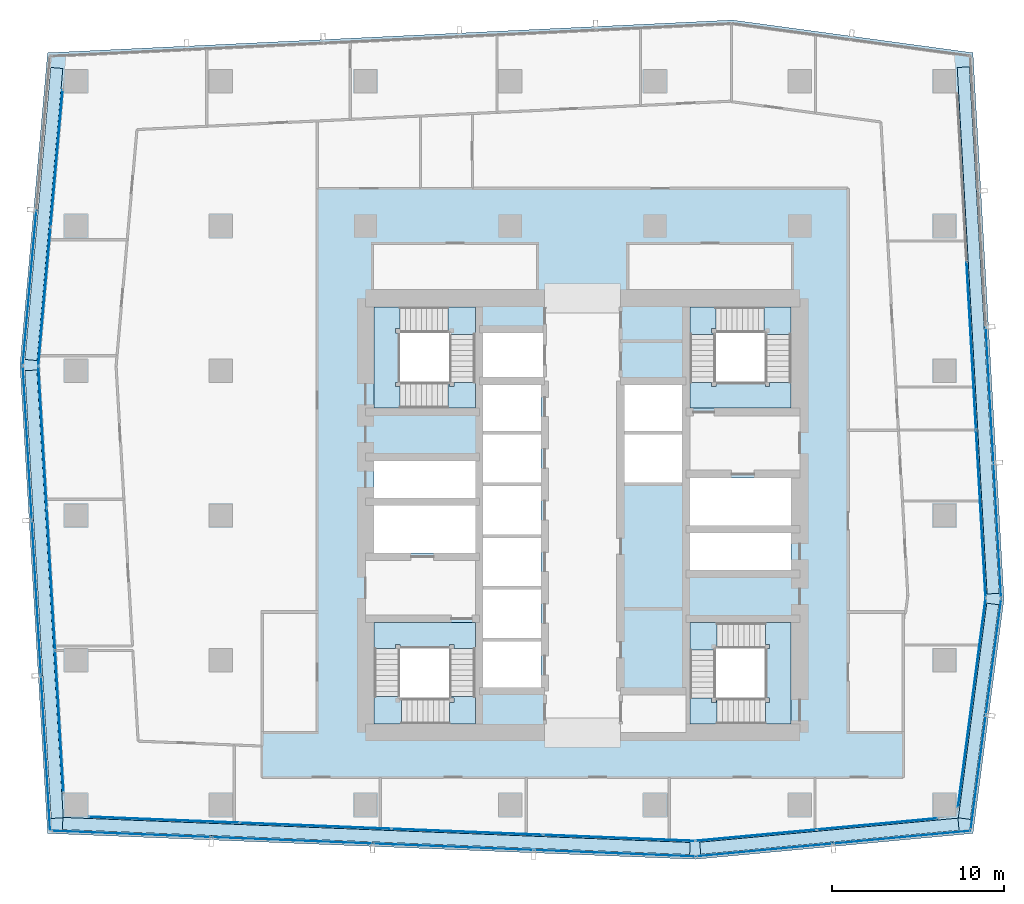
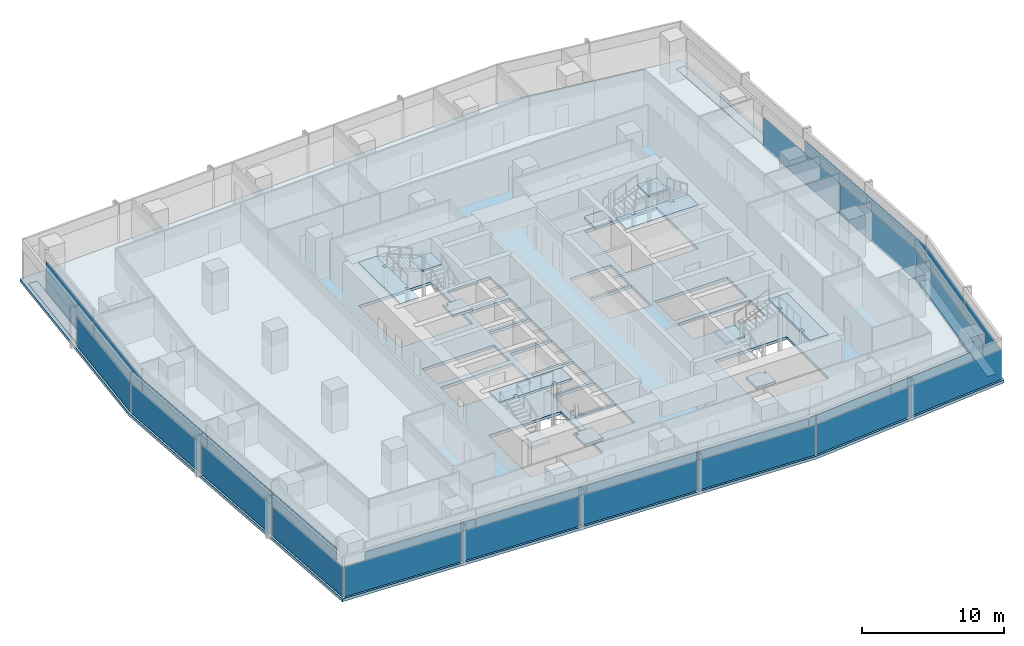
# One storey, part 26 of 39: 34 plates, 13 slabs, 16 elements without a shape of their own.
"""IFC4 building model written with IfcOpenShell, lengths in metres."""

from ifc_helpers import new_model, si_unit, direction, frame, origin, origin_2d, place, context, subcontext, project, spatial, polyline, rectangle, outline, extrude, material, layer, layer_set, type_object, element, aggregate, save


model = new_model("IFC4")

# Units and contexts
model_context = context("Model", 3, precision=1e-05, world=origin(), true_north=direction((0.0, 1.0)))
body_context = subcontext(model_context, "Body", "Model", "MODEL_VIEW")
ifc_project = project(units=[si_unit("LENGTHUNIT", "METRE"), si_unit("AREAUNIT", "SQUARE_METRE"), si_unit("VOLUMEUNIT", "CUBIC_METRE"), si_unit("PLANEANGLEUNIT", "RADIAN"), si_unit("MASSUNIT", "GRAM", prefix="KILO")], contexts=[model_context])

# Site, building, storey
site_placement = place(None, origin())
site = spatial("IfcSite", under=ifc_project, at=site_placement, CompositionType="ELEMENT")
building_placement = place(site_placement, origin())
building = spatial("IfcBuilding", under=site, at=building_placement, Name="Rekha Terrace Tower", CompositionType="ELEMENT")
storey_placement = place(building_placement, frame((0.0, 0.0, 187.699951171875)))
storey = spatial("IfcBuildingStorey", under=building, at=storey_placement, Name="L47", CompositionType="ELEMENT", Elevation=187.699951171875)

# Curtain wall, plates
ifc_material_1 = material(Name="Aluminium framing", Category="aluminium")
curtain_wall_type_1 = type_object("IfcCurtainWallType", Name="CW1 double skin inner glazing", PredefinedType="USERDEFINED", material=ifc_material_1)
curtain_wall_1_placement = place(storey_placement, origin())
curtain_wall_1 = element("IfcCurtainWall", 1, at=curtain_wall_1_placement, inside=storey, type_object=curtain_wall_type_1, Name="CW1 double skin inner glazing", ObjectType="DOUBLE SKIN INNER GLAZING", PredefinedType="USERDEFINED")
ifc_material_2 = material(Name="Double-glazed low-e unit 32", Category="glass")
ifc_layer_1 = layer(ifc_material_2, 0.031982421875)
ifc_layer_set_1 = layer_set([ifc_layer_1], Name="Double-glazed low-e unit 32")
plate_type_1 = type_object("IfcPlateType", Name="CW1 jumbo vision panel, double-glazed low-e unit 32", PredefinedType="CURTAIN_PANEL", material=ifc_layer_set_1)
plate_1_placement = place(storey_placement, frame((13.51318359375, 15.94091796875, 0.0), z_axis=(0.0, 0.0, 1.0), x_axis=(0.999204775798, -0.039872497061, 0.0)))
plate_1 = element("IfcPlate", 2, at=plate_1_placement, type_object=plate_type_1, Name="CW1 panel 1.1", PredefinedType="CURTAIN_PANEL", context=body_context, shape_type="SweptSolid", body=[
    extrude(rectangle(XDim=8.7138671875, YDim=0.031982421875, at=origin_2d()), origin(), (0.0, 0.0, 1.0), 2.60009765625),
])
plate_2_placement = place(storey_placement, frame((22.301025390625, 15.59033203125, 0.0), z_axis=(0.0, 0.0, 1.0), x_axis=(0.999204775798, -0.039872497061, 0.0)))
plate_2 = element("IfcPlate", 3, at=plate_2_placement, type_object=plate_type_1, Name="CW1 panel 2.1", PredefinedType="CURTAIN_PANEL", context=body_context, shape_type="SweptSolid", body=[
    extrude(rectangle(XDim=8.746337890625, YDim=0.031982421875, at=origin_2d()), origin(), (0.0, 0.0, 1.0), 2.60009765625),
])
plate_3_placement = place(storey_placement, frame((31.10546875, 15.239013671875, 0.0), z_axis=(0.0, 0.0, 1.0), x_axis=(0.999204775798, -0.039872497061, 0.0)))
plate_3 = element("IfcPlate", 4, at=plate_3_placement, type_object=plate_type_1, Name="CW1 panel 3.1", PredefinedType="CURTAIN_PANEL", context=body_context, shape_type="SweptSolid", body=[
    extrude(rectangle(XDim=8.746337890625, YDim=0.031982421875, at=origin_2d()), origin(), (0.0, 0.0, 1.0), 2.60009765625),
])
plate_4_placement = place(storey_placement, frame((39.926025390625, 14.886962890625, 0.0), z_axis=(0.0, 0.0, 1.0), x_axis=(0.999204775798, -0.039872497061, 0.0)))
plate_4 = element("IfcPlate", 5, at=plate_4_placement, type_object=plate_type_1, Name="CW1 panel 4.1", PredefinedType="CURTAIN_PANEL", context=body_context, shape_type="SweptSolid", body=[
    extrude(rectangle(XDim=8.77880859375, YDim=0.031982421875, at=origin_2d()), origin(), (0.0, 0.0, 1.0), 2.60009765625),
])
aggregate(curtain_wall_1, [plate_1, plate_2, plate_3, plate_4])

curtain_wall_2_placement = place(storey_placement, origin())
curtain_wall_2 = element("IfcCurtainWall", 6, at=curtain_wall_2_placement, inside=storey, type_object=curtain_wall_type_1, Name="CW1 double skin inner glazing", ObjectType="DOUBLE SKIN INNER GLAZING", PredefinedType="USERDEFINED")
plate_5_placement = place(storey_placement, frame((47.863037109375, 15.042724609375, 0.0), z_axis=(0.0, 0.0, 1.0), x_axis=(0.995693258742, 0.092708869564, 0.0)))
plate_5 = element("IfcPlate", 7, at=plate_5_placement, type_object=plate_type_1, Name="CW1 panel 1.1", PredefinedType="CURTAIN_PANEL", context=body_context, shape_type="SweptSolid", body=[
    extrude(rectangle(XDim=7.003173828125, YDim=0.031982421875, at=origin_2d()), origin(), (0.0, 0.0, 1.0), 2.60009765625),
])
plate_6_placement = place(storey_placement, frame((54.90087890625, 15.697998046875, 0.0), z_axis=(0.0, 0.0, 1.0), x_axis=(0.995693258742, 0.092708869564, 0.0)))
plate_6 = element("IfcPlate", 8, at=plate_6_placement, type_object=plate_type_1, Name="CW1 panel 2.1", PredefinedType="CURTAIN_PANEL", context=body_context, shape_type="SweptSolid", body=[
    extrude(rectangle(XDim=7.003173828125, YDim=0.031982421875, at=origin_2d()), origin(), (0.0, 0.0, 1.0), 2.60009765625),
])
aggregate(curtain_wall_2, [plate_5, plate_6])

# Curtain wall, plate
curtain_wall_3_placement = place(storey_placement, origin())
curtain_wall_3 = element("IfcCurtainWall", 9, at=curtain_wall_3_placement, inside=storey, type_object=curtain_wall_type_1, Name="CW1 double skin inner glazing", ObjectType="DOUBLE SKIN INNER GLAZING", PredefinedType="USERDEFINED")
plate_7_placement = place(storey_placement, frame((60.38330078125, 22.718505859375, 0.0), z_axis=(0.0, 0.0, 1.0), x_axis=(0.131303603093, 0.991342203185, 0.0)))
plate_7 = element("IfcPlate", 10, at=plate_7_placement, type_object=plate_type_1, Name="CW1 panel 1.1", PredefinedType="CURTAIN_PANEL", context=body_context, shape_type="SweptSolid", body=[
    extrude(rectangle(XDim=12.228759765625, YDim=0.031982421875, at=origin_2d()), origin(), (0.0, 0.0, 1.0), 2.60009765625),
])
aggregate(curtain_wall_3, [plate_7])

# Curtain wall, plates
curtain_wall_4_placement = place(storey_placement, origin())
curtain_wall_4 = element("IfcCurtainWall", 11, at=curtain_wall_4_placement, inside=storey, type_object=curtain_wall_type_1, Name="CW1 double skin inner glazing", ObjectType="DOUBLE SKIN INNER GLAZING", PredefinedType="USERDEFINED")
plate_8_placement = place(storey_placement, frame((60.90771484375, 33.68408203125, 0.0), z_axis=(0.0, 0.0, 1.0), x_axis=(-0.05667319486, 0.998392782919, 0.0)))
plate_8 = element("IfcPlate", 12, at=plate_8_placement, type_object=plate_type_1, Name="CW1 panel 1.1", PredefinedType="CURTAIN_PANEL", context=body_context, shape_type="SweptSolid", body=[
    extrude(rectangle(XDim=9.694091796875, YDim=0.031982421875, at=origin_2d()), origin(), (0.0, 0.0, 1.0), 2.60009765625),
])
plate_9_placement = place(storey_placement, frame((60.353759765625, 43.44384765625, 0.0), z_axis=(0.0, 0.0, 1.0), x_axis=(-0.05667319486, 0.998392782919, 0.0)))
plate_9 = element("IfcPlate", 13, at=plate_9_placement, type_object=plate_type_1, Name="CW1 panel 2.1", PredefinedType="CURTAIN_PANEL", context=body_context, shape_type="SweptSolid", body=[
    extrude(rectangle(XDim=9.7265625, YDim=0.031982421875, at=origin_2d()), origin(), (0.0, 0.0, 1.0), 2.60009765625),
])
aggregate(curtain_wall_4, [plate_8, plate_9])

curtain_wall_5_placement = place(storey_placement, origin())
curtain_wall_5 = element("IfcCurtainWall", 14, at=curtain_wall_5_placement, inside=storey, type_object=curtain_wall_type_1, Name="CW1 double skin inner glazing", ObjectType="DOUBLE SKIN INNER GLAZING", PredefinedType="USERDEFINED")
plate_10_placement = place(storey_placement, frame((7.273193359375, 54.32421875, 0.0), z_axis=(0.0, 0.0, 1.0), x_axis=(-0.087957985523, -0.996124185422, 0.0)))
plate_10 = element("IfcPlate", 15, at=plate_10_placement, type_object=plate_type_1, Name="CW1 panel 1.1", PredefinedType="CURTAIN_PANEL", context=body_context, shape_type="SweptSolid", body=[
    extrude(rectangle(XDim=7.950927734375, YDim=0.031982421875, at=origin_2d()), origin(), (0.0, 0.0, 1.0), 2.60009765625),
])
plate_11_placement = place(storey_placement, frame((6.565185546875, 46.306884765625, 0.0), z_axis=(0.0, 0.0, 1.0), x_axis=(-0.087957985523, -0.996124185422, 0.0)))
plate_11 = element("IfcPlate", 16, at=plate_11_placement, type_object=plate_type_1, Name="CW1 panel 2.1", PredefinedType="CURTAIN_PANEL", context=body_context, shape_type="SweptSolid", body=[
    extrude(rectangle(XDim=8.01611328125, YDim=0.031982421875, at=origin_2d()), origin(), (0.0, 0.0, 1.0), 2.60009765625),
])
aggregate(curtain_wall_5, [plate_10, plate_11])

curtain_wall_6_placement = place(storey_placement, origin())
curtain_wall_6 = element("IfcCurtainWall", 17, at=curtain_wall_6_placement, inside=storey, type_object=curtain_wall_type_1, Name="CW1 double skin inner glazing", ObjectType="DOUBLE SKIN INNER GLAZING", PredefinedType="USERDEFINED")
plate_12_placement = place(storey_placement, frame((6.457275390625, 38.1611328125, 0.0), z_axis=(0.0, 0.0, 1.0), x_axis=(0.058765082516, -0.998271839269, 0.0)))
plate_12 = element("IfcPlate", 18, at=plate_12_placement, type_object=plate_type_1, Name="CW1 panel 1.1", PredefinedType="CURTAIN_PANEL", context=body_context, shape_type="SweptSolid", body=[
    extrude(rectangle(XDim=8.19091796875, YDim=0.031982421875, at=origin_2d()), origin(), (0.0, 0.0, 1.0), 2.60009765625),
])
plate_13_placement = place(storey_placement, frame((6.943359375, 29.9033203125, 0.0), z_axis=(0.0, 0.0, 1.0), x_axis=(0.058765082516, -0.998271839269, 0.0)))
plate_13 = element("IfcPlate", 19, at=plate_13_placement, type_object=plate_type_1, Name="CW1 panel 2.1", PredefinedType="CURTAIN_PANEL", context=body_context, shape_type="SweptSolid", body=[
    extrude(rectangle(XDim=8.223388671875, YDim=0.031982421875, at=origin_2d()), origin(), (0.0, 0.0, 1.0), 2.60009765625),
])
plate_14_placement = place(storey_placement, frame((7.429443359375, 21.645263671875, 0.0), z_axis=(0.0, 0.0, 1.0), x_axis=(0.058765082516, -0.998271839269, 0.0)))
plate_14 = element("IfcPlate", 20, at=plate_14_placement, type_object=plate_type_1, Name="CW1 panel 3.1", PredefinedType="CURTAIN_PANEL", context=body_context, shape_type="SweptSolid", body=[
    extrude(rectangle(XDim=8.19091796875, YDim=0.031982421875, at=origin_2d()), origin(), (0.0, 0.0, 1.0), 2.60009765625),
])
aggregate(curtain_wall_6, [plate_12, plate_13, plate_14])

curtain_wall_type_2 = type_object("IfcCurtainWallType", Name="CW2 double skin outer glazing", PredefinedType="USERDEFINED", material=ifc_material_1)
curtain_wall_7_placement = place(storey_placement, origin())
curtain_wall_7 = element("IfcCurtainWall", 21, at=curtain_wall_7_placement, inside=storey, type_object=curtain_wall_type_2, Name="CW2 double skin outer glazing", ObjectType="DOUBLE SKIN OUTER GLAZING", PredefinedType="USERDEFINED")
ifc_material_3 = material(Name="Toughened single glazing 12", Category="glass")
ifc_layer_2 = layer(ifc_material_3, 0.011962890625)
ifc_layer_set_2 = layer_set([ifc_layer_2], Name="Toughened single glazing 12")
plate_type_2 = type_object("IfcPlateType", Name="CW2 jumbo vision panel, toughened single glazing 12", PredefinedType="CURTAIN_PANEL", material=ifc_layer_set_2)
plate_15_placement = place(storey_placement, frame((11.6005859375, 15.116455078125, 0.0), z_axis=(0.0, 0.0, 1.0), x_axis=(0.999204775799, -0.039872497044, 0.0)))
plate_15 = element("IfcPlate", 22, at=plate_15_placement, type_object=plate_type_2, Name="CW2 panel 1.1", PredefinedType="CURTAIN_PANEL", context=body_context, shape_type="SweptSolid", body=[
    extrude(rectangle(XDim=9.24609375, YDim=0.011962890625, at=origin_2d()), origin(), (0.0, 0.0, 1.0), 2.60009765625),
])
plate_16_placement = place(storey_placement, frame((20.939208984375, 14.743896484375, 0.0), z_axis=(0.0, 0.0, 1.0), x_axis=(0.999204775799, -0.039872497044, 0.0)))
plate_16 = element("IfcPlate", 23, at=plate_16_placement, type_object=plate_type_2, Name="CW2 panel 2.1", PredefinedType="CURTAIN_PANEL", context=body_context, shape_type="SweptSolid", body=[
    extrude(rectangle(XDim=9.2861328125, YDim=0.011962890625, at=origin_2d()), origin(), (0.0, 0.0, 1.0), 2.60009765625),
])
plate_17_placement = place(storey_placement, frame((30.2978515625, 14.370361328125, 0.0), z_axis=(0.0, 0.0, 1.0), x_axis=(0.999204775799, -0.039872497044, 0.0)))
plate_17 = element("IfcPlate", 24, at=plate_17_placement, type_object=plate_type_2, Name="CW2 panel 3.1", PredefinedType="CURTAIN_PANEL", context=body_context, shape_type="SweptSolid", body=[
    extrude(rectangle(XDim=9.2861328125, YDim=0.011962890625, at=origin_2d()), origin(), (0.0, 0.0, 1.0), 2.60009765625),
])
plate_18_placement = place(storey_placement, frame((39.676513671875, 13.996337890625, 0.0), z_axis=(0.0, 0.0, 1.0), x_axis=(0.999204775799, -0.039872497044, 0.0)))
plate_18 = element("IfcPlate", 25, at=plate_18_placement, type_object=plate_type_2, Name="CW2 panel 4.1", PredefinedType="CURTAIN_PANEL", context=body_context, shape_type="SweptSolid", body=[
    extrude(rectangle(XDim=9.326171875, YDim=0.011962890625, at=origin_2d()), origin(), (0.0, 0.0, 1.0), 2.60009765625),
])
aggregate(curtain_wall_7, [plate_15, plate_16, plate_17, plate_18])

curtain_wall_8_placement = place(storey_placement, origin())
curtain_wall_8 = element("IfcCurtainWall", 26, at=curtain_wall_8_placement, inside=storey, type_object=curtain_wall_type_2, Name="CW2 double skin outer glazing", ObjectType="DOUBLE SKIN OUTER GLAZING", PredefinedType="USERDEFINED")
plate_19_placement = place(storey_placement, frame((48.348876953125, 14.183837890625, 0.0), z_axis=(0.0, 0.0, 1.0), x_axis=(0.995693258747, 0.092708869512, 0.0)))
plate_19 = element("IfcPlate", 27, at=plate_19_placement, type_object=plate_type_2, Name="CW2 panel 1.1", PredefinedType="CURTAIN_PANEL", context=body_context, shape_type="SweptSolid", body=[
    extrude(rectangle(XDim=7.900634765625, YDim=0.011962890625, at=origin_2d()), origin(), (0.0, 0.0, 1.0), 2.60009765625),
])
plate_20_placement = place(storey_placement, frame((56.3349609375, 14.927490234375, 0.0), z_axis=(0.0, 0.0, 1.0), x_axis=(0.995693258747, 0.092708869512, 0.0)))
plate_20 = element("IfcPlate", 28, at=plate_20_placement, type_object=plate_type_2, Name="CW2 panel 2.1", PredefinedType="CURTAIN_PANEL", context=body_context, shape_type="SweptSolid", body=[
    extrude(rectangle(XDim=7.980712890625, YDim=0.011962890625, at=origin_2d()), origin(), (0.0, 0.0, 1.0), 2.60009765625),
])
aggregate(curtain_wall_8, [plate_19, plate_20])

curtain_wall_9_placement = place(storey_placement, origin())
curtain_wall_9 = element("IfcCurtainWall", 29, at=curtain_wall_9_placement, inside=storey, type_object=curtain_wall_type_2, Name="CW2 double skin outer glazing", ObjectType="DOUBLE SKIN OUTER GLAZING", PredefinedType="USERDEFINED")
plate_21_placement = place(storey_placement, frame((60.756103515625, 18.679443359375, 0.0), z_axis=(0.0, 0.0, 1.0), x_axis=(0.131303603075, 0.991342203187, 0.0)))
plate_21 = element("IfcPlate", 30, at=plate_21_placement, type_object=plate_type_2, Name="CW2 panel 1.1", PredefinedType="CURTAIN_PANEL", context=body_context, shape_type="SweptSolid", body=[
    extrude(rectangle(XDim=6.6630859375, YDim=0.011962890625, at=origin_2d()), origin(), (0.0, 0.0, 1.0), 2.60009765625),
])
plate_22_placement = place(storey_placement, frame((61.646728515625, 25.40380859375, 0.0), z_axis=(0.0, 0.0, 1.0), x_axis=(0.131303603075, 0.991342203187, 0.0)))
plate_22 = element("IfcPlate", 31, at=plate_22_placement, type_object=plate_type_2, Name="CW2 panel 2.1", PredefinedType="CURTAIN_PANEL", context=body_context, shape_type="SweptSolid", body=[
    extrude(rectangle(XDim=6.742919921875, YDim=0.011962890625, at=origin_2d()), origin(), (0.0, 0.0, 1.0), 2.60009765625),
])
aggregate(curtain_wall_9, [plate_21, plate_22])

curtain_wall_10_placement = place(storey_placement, origin())
curtain_wall_10 = element("IfcCurtainWall", 32, at=curtain_wall_10_placement, inside=storey, type_object=curtain_wall_type_2, Name="CW2 double skin outer glazing", ObjectType="DOUBLE SKIN OUTER GLAZING", PredefinedType="USERDEFINED")
plate_23_placement = place(storey_placement, frame((61.8642578125, 32.71142578125, 0.0), z_axis=(0.0, 0.0, 1.0), x_axis=(-0.05667319486, 0.998392782919, 0.0)))
plate_23 = element("IfcPlate", 33, at=plate_23_placement, type_object=plate_type_2, Name="CW2 panel 1.1", PredefinedType="CURTAIN_PANEL", context=body_context, shape_type="SweptSolid", body=[
    extrude(rectangle(XDim=7.783447265625, YDim=0.011962890625, at=origin_2d()), origin(), (0.0, 0.0, 1.0), 2.60009765625),
])
plate_24_placement = place(storey_placement, frame((61.41748046875, 40.582275390625, 0.0), z_axis=(0.0, 0.0, 1.0), x_axis=(-0.05667319486, 0.998392782919, 0.0)))
plate_24 = element("IfcPlate", 34, at=plate_24_placement, type_object=plate_type_2, Name="CW2 panel 2.1", PredefinedType="CURTAIN_PANEL", context=body_context, shape_type="SweptSolid", body=[
    extrude(rectangle(XDim=7.823486328125, YDim=0.011962890625, at=origin_2d()), origin(), (0.0, 0.0, 1.0), 2.60009765625),
])
aggregate(curtain_wall_10, [plate_23, plate_24])

# Curtain wall, plate
curtain_wall_11_placement = place(storey_placement, origin())
curtain_wall_11 = element("IfcCurtainWall", 35, at=curtain_wall_11_placement, inside=storey, type_object=curtain_wall_type_2, Name="CW2 double skin outer glazing", ObjectType="DOUBLE SKIN OUTER GLAZING", PredefinedType="USERDEFINED")
plate_25_placement = place(storey_placement, frame((5.705322265625, 46.800048828125, 0.0), z_axis=(0.0, 0.0, 1.0), x_axis=(-0.087957985453, -0.996124185428, 0.0)))
plate_25 = element("IfcPlate", 36, at=plate_25_placement, type_object=plate_type_2, Name="CW2 panel 2.1", PredefinedType="CURTAIN_PANEL", context=body_context, shape_type="SweptSolid", body=[
    extrude(rectangle(XDim=8.9794921875, YDim=0.011962890625, at=origin_2d()), origin(), (0.0, 0.0, 1.0), 2.60009765625),
])
aggregate(curtain_wall_11, [plate_25])

# Curtain wall, plates
curtain_wall_12_placement = place(storey_placement, origin())
curtain_wall_12 = element("IfcCurtainWall", 37, at=curtain_wall_12_placement, inside=storey, type_object=curtain_wall_type_2, Name="CW2 double skin outer glazing", ObjectType="DOUBLE SKIN OUTER GLAZING", PredefinedType="USERDEFINED")
plate_26_placement = place(storey_placement, frame((5.57666015625, 37.8037109375, 0.0), z_axis=(0.0, 0.0, 1.0), x_axis=(0.058765082499, -0.99827183927, 0.0)))
plate_26 = element("IfcPlate", 38, at=plate_26_placement, type_object=plate_type_2, Name="CW2 panel 1.1", PredefinedType="CURTAIN_PANEL", context=body_context, shape_type="SweptSolid", body=[
    extrude(rectangle(XDim=8.903564453125, YDim=0.011962890625, at=origin_2d()), origin(), (0.0, 0.0, 1.0), 2.60009765625),
])
plate_27_placement = place(storey_placement, frame((6.105712890625, 28.81591796875, 0.0), z_axis=(0.0, 0.0, 1.0), x_axis=(0.058765082499, -0.99827183927, 0.0)))
plate_27 = element("IfcPlate", 39, at=plate_27_placement, type_object=plate_type_2, Name="CW2 panel 2.1", PredefinedType="CURTAIN_PANEL", context=body_context, shape_type="SweptSolid", body=[
    extrude(rectangle(XDim=8.943359375, YDim=0.011962890625, at=origin_2d()), origin(), (0.0, 0.0, 1.0), 2.60009765625),
])
plate_28_placement = place(storey_placement, frame((6.63720703125, 19.7880859375, 0.0), z_axis=(0.0, 0.0, 1.0), x_axis=(0.058765082499, -0.99827183927, 0.0)))
plate_28 = element("IfcPlate", 40, at=plate_28_placement, type_object=plate_type_2, Name="CW2 panel 3.1", PredefinedType="CURTAIN_PANEL", context=body_context, shape_type="SweptSolid", body=[
    extrude(rectangle(XDim=8.9833984375, YDim=0.011962890625, at=origin_2d()), origin(), (0.0, 0.0, 1.0), 2.60009765625),
])
aggregate(curtain_wall_12, [plate_26, plate_27, plate_28])

# Plates
ifc_material_4 = material(Name="Galvanised steel open grating", Category="steel")
ifc_layer_3 = layer(ifc_material_4, 0.050048828125)
ifc_layer_set_3 = layer_set([ifc_layer_3], Name="Galvanised steel open grating")
plate_type_3 = type_object("IfcPlateType", Name="GT1 cavity walkway grating 50", PredefinedType="USERDEFINED", material=ifc_layer_set_3)
plate_29_placement = place(storey_placement, frame((25.8251953125, 14.999267578125, 0.0), z_axis=(0.0, 0.0, 1.0), x_axis=(0.999204775799, -0.039872497044, 0.0)))
element("IfcPlate", 41, at=plate_29_placement, inside=storey, type_object=plate_type_3, Name="Cavity walkway grating", ObjectType="CAVITY WALKWAY GRATING", PredefinedType="USERDEFINED", context=body_context, shape_type="SweptSolid", body=[
    extrude(rectangle(XDim=36.4267578125, YDim=0.705078125, at=origin_2d()), origin(), (0.0, 0.0, 1.0), 0.050048828125),
])
plate_30_placement = place(storey_placement, frame((52.116455078125, 14.98681640625, 0.0), z_axis=(0.0, 0.0, 1.0), x_axis=(0.995693258745, 0.092708869529, 0.0)))
element("IfcPlate", 42, at=plate_30_placement, inside=storey, type_object=plate_type_3, Name="Cavity walkway grating", ObjectType="CAVITY WALKWAY GRATING", PredefinedType="USERDEFINED", context=body_context, shape_type="SweptSolid", body=[
    extrude(rectangle(XDim=15.052734375, YDim=0.705078125, at=origin_2d()), origin(), (0.0, 0.0, 1.0), 0.050048828125),
])
plate_31_placement = place(storey_placement, frame((60.7734375, 22.237548828125, 0.0), z_axis=(0.0, 0.0, 1.0), x_axis=(0.131303603075, 0.991342203187, 0.0)))
element("IfcPlate", 43, at=plate_31_placement, inside=storey, type_object=plate_type_3, Name="Cavity walkway grating", ObjectType="CAVITY WALKWAY GRATING", PredefinedType="USERDEFINED", context=body_context, shape_type="SweptSolid", body=[
    extrude(rectangle(XDim=12.564697265625, YDim=0.705078125, at=origin_2d()), origin(), (0.0, 0.0, 1.0), 0.050048828125),
])
plate_32_placement = place(storey_placement, frame((60.753662109375, 44.338134765625, 0.0), z_axis=(0.0, 0.0, 1.0), x_axis=(-0.05667319486, 0.998392782919, 0.0)))
element("IfcPlate", 44, at=plate_32_placement, inside=storey, type_object=plate_type_3, Name="Cavity walkway grating", ObjectType="CAVITY WALKWAY GRATING", PredefinedType="USERDEFINED", context=body_context, shape_type="SweptSolid", body=[
    extrude(rectangle(XDim=30.6005859375, YDim=0.705078125, at=origin_2d()), origin(), (0.0, 0.0, 1.0), 0.050048828125),
])
plate_33_placement = place(storey_placement, frame((6.5361328125, 51.093505859375, 0.0), z_axis=(0.0, 0.0, 1.0), x_axis=(-0.087957985471, -0.996124185427, 0.0)))
element("IfcPlate", 45, at=plate_33_placement, inside=storey, type_object=plate_type_3, Name="Cavity walkway grating", ObjectType="CAVITY WALKWAY GRATING", PredefinedType="USERDEFINED", context=body_context, shape_type="SweptSolid", body=[
    extrude(rectangle(XDim=17.013427734375, YDim=0.705078125, at=origin_2d()), origin(), (0.0, 0.0, 1.0), 0.050048828125),
])
plate_34_placement = place(storey_placement, frame((6.5439453125, 29.029296875, 0.0), z_axis=(0.0, 0.0, 1.0), x_axis=(0.058765082516, -0.998271839269, 0.0)))
element("IfcPlate", 46, at=plate_34_placement, inside=storey, type_object=plate_type_3, Name="Cavity walkway grating", ObjectType="CAVITY WALKWAY GRATING", PredefinedType="USERDEFINED", context=body_context, shape_type="SweptSolid", body=[
    extrude(rectangle(XDim=26.029541015625, YDim=0.705078125, at=origin_2d()), origin(), (0.0, 0.0, 1.0), 0.050048828125),
])

# Stair, slabs
ifc_material_5 = material(Name="Concrete M40", Category="concrete")
stair_type = type_object("IfcStairType", Name="ST30 stair, 30 risers of 125, going 310, 1500 wide flights, 3 flights", PredefinedType="HALF_TURN_STAIR", material=ifc_material_5)
stair_1_placement = place(storey_placement, origin())
stair_1 = element("IfcStair", 47, at=stair_1_placement, inside=storey, type_object=stair_type, Name="Stair ST1 L47 to L48", PredefinedType="HALF_TURN_STAIR")
ifc_layer_4 = layer(ifc_material_5, 0.199951171875)
ifc_layer_set_4 = layer_set([ifc_layer_4], Name="Concrete M40")
slab_type_1 = type_object("IfcSlabType", Name="LD1 200 concrete stair landing", PredefinedType="LANDING", material=ifc_layer_set_4)
slab_1_placement = place(storey_placement, frame((0.0, 0.0, 1.050048828125)))
slab_1 = element("IfcSlab", 48, at=slab_1_placement, type_object=slab_type_1, Name="ST1 landing 1", PredefinedType="LANDING", context=body_context, shape_type="SweptSolid", body=[
    extrude(outline(polyline([(30.074951171875, 21.5), (31.574951171875, 21.5), (31.574951171875, 23.0849609375), (30.074951171875, 23.0849609375), (30.074951171875, 23.0), (30.324951171875, 23.0), (30.324951171875, 22.75), (30.074951171875, 22.75), (30.074951171875, 21.5)])), origin(), (0.0, 0.0, 1.0), 0.199951171875),
])
slab_2_placement = place(storey_placement, frame((0.0, 0.0, 2.300048828125)))
slab_2 = element("IfcSlab", 49, at=slab_2_placement, type_object=slab_type_1, Name="ST1 landing 2", PredefinedType="LANDING", context=body_context, shape_type="SweptSolid", body=[
    extrude(outline(polyline([(27.199951171875, 23.0849609375), (25.699951171875, 23.0849609375), (25.699951171875, 21.5), (27.284912109375, 21.5), (27.284912109375, 23.0), (27.199951171875, 23.0), (27.199951171875, 23.0849609375)])), origin(), (0.0, 0.0, 1.0), 0.199951171875),
])
slab_3_placement = place(storey_placement, frame((0.0, 0.0, 3.550048828125)))
slab_3 = element("IfcSlab", 50, at=slab_3_placement, type_object=slab_type_1, Name="ST1 landing 3", PredefinedType="LANDING", context=body_context, shape_type="SweptSolid", body=[
    extrude(outline(polyline([(31.574951171875, 25.875), (31.574951171875, 27.375), (25.699951171875, 27.375), (25.699951171875, 25.875), (26.949951171875, 25.875), (26.949951171875, 26.125), (27.199951171875, 26.125), (27.199951171875, 25.875), (30.074951171875, 25.875), (30.074951171875, 26.125), (30.324951171875, 26.125), (30.324951171875, 25.875), (31.574951171875, 25.875)])), origin(), (0.0, 0.0, 1.0), 0.199951171875),
])
aggregate(stair_1, [slab_1, slab_2, slab_3])

stair_2_placement = place(storey_placement, origin())
stair_2 = element("IfcStair", 51, at=stair_2_placement, inside=storey, type_object=stair_type, Name="Stair ST2 L47 to L48", PredefinedType="HALF_TURN_STAIR")
slab_4_placement = place(storey_placement, frame((0.0, 0.0, 1.050048828125)))
slab_4 = element("IfcSlab", 52, at=slab_4_placement, type_object=slab_type_1, Name="ST2 landing 1", PredefinedType="LANDING", context=body_context, shape_type="SweptSolid", body=[
    extrude(outline(polyline([(45.52490234375, 45.699951171875), (44.02490234375, 45.699951171875), (44.02490234375, 44.114990234375), (45.52490234375, 44.114990234375), (45.52490234375, 44.199951171875), (45.27490234375, 44.199951171875), (45.27490234375, 44.449951171875), (45.52490234375, 44.449951171875), (45.52490234375, 45.699951171875)])), origin(), (0.0, 0.0, 1.0), 0.199951171875),
])
slab_5_placement = place(storey_placement, frame((0.0, 0.0, 2.300048828125)))
slab_5 = element("IfcSlab", 53, at=slab_5_placement, type_object=slab_type_1, Name="ST2 landing 2", PredefinedType="LANDING", context=body_context, shape_type="SweptSolid", body=[
    extrude(outline(polyline([(48.39990234375, 44.114990234375), (49.89990234375, 44.114990234375), (49.89990234375, 45.699951171875), (48.31494140625, 45.699951171875), (48.31494140625, 44.199951171875), (48.39990234375, 44.199951171875), (48.39990234375, 44.114990234375)])), origin(), (0.0, 0.0, 1.0), 0.199951171875),
])
slab_6_placement = place(storey_placement, frame((0.0, 0.0, 3.550048828125)))
slab_6 = element("IfcSlab", 54, at=slab_6_placement, type_object=slab_type_1, Name="ST2 landing 3", PredefinedType="LANDING", context=body_context, shape_type="SweptSolid", body=[
    extrude(outline(polyline([(44.02490234375, 41.324951171875), (44.02490234375, 39.824951171875), (49.89990234375, 39.824951171875), (49.89990234375, 41.324951171875), (48.64990234375, 41.324951171875), (48.64990234375, 41.074951171875), (48.39990234375, 41.074951171875), (48.39990234375, 41.324951171875), (45.52490234375, 41.324951171875), (45.52490234375, 41.074951171875), (45.27490234375, 41.074951171875), (45.27490234375, 41.324951171875), (44.02490234375, 41.324951171875)])), origin(), (0.0, 0.0, 1.0), 0.199951171875),
])
aggregate(stair_2, [slab_4, slab_5, slab_6])

stair_3_placement = place(storey_placement, origin())
stair_3 = element("IfcStair", 55, at=stair_3_placement, inside=storey, type_object=stair_type, Name="Stair ST3 L47 to L48", PredefinedType="HALF_TURN_STAIR")
slab_7_placement = place(storey_placement, frame((0.0, 0.0, 1.050048828125)))
slab_7 = element("IfcSlab", 56, at=slab_7_placement, type_object=slab_type_1, Name="ST3 landing 1", PredefinedType="LANDING", context=body_context, shape_type="SweptSolid", body=[
    extrude(outline(polyline([(44.02490234375, 23.0), (44.02490234375, 21.5), (45.610107421875, 21.5), (45.610107421875, 23.0), (45.52490234375, 23.0), (45.52490234375, 22.75), (45.27490234375, 22.75), (45.27490234375, 23.0), (44.02490234375, 23.0)])), origin(), (0.0, 0.0, 1.0), 0.199951171875),
])
slab_8_placement = place(storey_placement, frame((0.0, 0.0, 2.300048828125)))
slab_8 = element("IfcSlab", 57, at=slab_8_placement, type_object=slab_type_1, Name="ST3 landing 2", PredefinedType="LANDING", context=body_context, shape_type="SweptSolid", body=[
    extrude(outline(polyline([(45.610107421875, 25.875), (45.610107421875, 27.375), (44.02490234375, 27.375), (44.02490234375, 25.7900390625), (45.52490234375, 25.7900390625), (45.52490234375, 25.875), (45.610107421875, 25.875)])), origin(), (0.0, 0.0, 1.0), 0.199951171875),
])
slab_9_placement = place(storey_placement, frame((0.0, 0.0, 3.550048828125)))
slab_9 = element("IfcSlab", 58, at=slab_9_placement, type_object=slab_type_1, Name="ST3 landing 3", PredefinedType="LANDING", context=body_context, shape_type="SweptSolid", body=[
    extrude(outline(polyline([(48.39990234375, 21.5), (49.89990234375, 21.5), (49.89990234375, 27.375), (48.39990234375, 27.375), (48.39990234375, 26.125), (48.64990234375, 26.125), (48.64990234375, 25.875), (48.39990234375, 25.875), (48.39990234375, 23.0), (48.64990234375, 23.0), (48.64990234375, 22.75), (48.39990234375, 22.75), (48.39990234375, 21.5)])), origin(), (0.0, 0.0, 1.0), 0.199951171875),
])
aggregate(stair_3, [slab_7, slab_8, slab_9])

stair_4_placement = place(storey_placement, origin())
stair_4 = element("IfcStair", 59, at=stair_4_placement, inside=storey, type_object=stair_type, Name="Stair ST4 L47 to L48", PredefinedType="HALF_TURN_STAIR")
slab_10_placement = place(storey_placement, frame((0.0, 0.0, 1.050048828125)))
slab_10 = element("IfcSlab", 60, at=slab_10_placement, type_object=slab_type_1, Name="ST4 landing 1", PredefinedType="LANDING", context=body_context, shape_type="SweptSolid", body=[
    extrude(outline(polyline([(31.574951171875, 41.324951171875), (31.574951171875, 39.824951171875), (29.989990234375, 39.824951171875), (29.989990234375, 41.324951171875), (30.074951171875, 41.324951171875), (30.074951171875, 41.074951171875), (30.324951171875, 41.074951171875), (30.324951171875, 41.324951171875), (31.574951171875, 41.324951171875)])), origin(), (0.0, 0.0, 1.0), 0.199951171875),
])
slab_11_placement = place(storey_placement, frame((0.0, 0.0, 2.300048828125)))
slab_11 = element("IfcSlab", 61, at=slab_11_placement, type_object=slab_type_1, Name="ST4 landing 2", PredefinedType="LANDING", context=body_context, shape_type="SweptSolid", body=[
    extrude(outline(polyline([(29.989990234375, 44.199951171875), (29.989990234375, 45.699951171875), (31.574951171875, 45.699951171875), (31.574951171875, 44.114990234375), (30.074951171875, 44.114990234375), (30.074951171875, 44.199951171875), (29.989990234375, 44.199951171875)])), origin(), (0.0, 0.0, 1.0), 0.199951171875),
])
slab_12_placement = place(storey_placement, frame((0.0, 0.0, 3.550048828125)))
slab_12 = element("IfcSlab", 62, at=slab_12_placement, type_object=slab_type_1, Name="ST4 landing 3", PredefinedType="LANDING", context=body_context, shape_type="SweptSolid", body=[
    extrude(outline(polyline([(27.199951171875, 39.824951171875), (25.699951171875, 39.824951171875), (25.699951171875, 45.699951171875), (27.199951171875, 45.699951171875), (27.199951171875, 44.449951171875), (26.949951171875, 44.449951171875), (26.949951171875, 44.199951171875), (27.199951171875, 44.199951171875), (27.199951171875, 41.324951171875), (26.949951171875, 41.324951171875), (26.949951171875, 41.074951171875), (27.199951171875, 41.074951171875), (27.199951171875, 39.824951171875)])), origin(), (0.0, 0.0, 1.0), 0.199951171875),
])
aggregate(stair_4, [slab_10, slab_11, slab_12])

# Slab
ifc_material_6 = material(Name="Concrete M50", Category="concrete")
ifc_layer_5 = layer(ifc_material_6, 0.25)
ifc_layer_set_5 = layer_set([ifc_layer_5], Name="Concrete M50")
slab_type_2 = type_object("IfcSlabType", Name="SL4 250 post-tensioned flat plate", PredefinedType="FLOOR", material=ifc_layer_set_5)
slab_13_placement = place(storey_placement, frame((0.0, 0.0, -0.25)))
element("IfcSlab", 63, at=slab_13_placement, inside=storey, type_object=slab_type_2, Name="Post-tensioned flat plate L47", PredefinedType="FLOOR", context=body_context, shape_type="SweptSolid", body=[
    extrude(outline(polyline([(5.14990234375, 42.330078125), (6.75, 15.14990234375), (44.340087890625, 13.64990234375), (60.449951171875, 15.14990234375), (62.25, 28.739990234375), (60.449951171875, 60.449951171875), (46.488037109375, 62.35009765625), (6.75, 60.449951171875), (5.14990234375, 42.330078125)]), holes=[polyline([(31.574951171875, 27.375), (31.574951171875, 21.5), (25.699951171875, 21.5), (25.699951171875, 27.375), (31.574951171875, 27.375)]), polyline([(35.375, 26.300048828125), (35.375, 23.625), (32.02490234375, 23.625), (32.02490234375, 26.300048828125), (35.375, 26.300048828125)]), polyline([(35.375, 29.300048828125), (35.375, 26.5), (32.02490234375, 26.5), (32.02490234375, 29.300048828125), (35.375, 29.300048828125)]), polyline([(35.375, 32.300048828125), (35.375, 29.5), (32.02490234375, 29.5), (32.02490234375, 32.300048828125), (35.375, 32.300048828125)]), polyline([(31.574951171875, 34.175048828125), (31.574951171875, 31.425048828125), (25.699951171875, 31.425048828125), (25.699951171875, 34.175048828125), (31.574951171875, 34.175048828125)]), polyline([(35.375, 35.300048828125), (35.375, 32.5), (32.02490234375, 32.5), (32.02490234375, 35.300048828125), (35.375, 35.300048828125)]), polyline([(31.574951171875, 36.77490234375), (31.574951171875, 34.625), (25.699951171875, 34.625), (25.699951171875, 36.77490234375), (31.574951171875, 36.77490234375)]), polyline([(35.375, 38.300048828125), (35.375, 35.5), (32.02490234375, 35.5), (32.02490234375, 38.300048828125), (35.375, 38.300048828125)]), polyline([(31.574951171875, 45.699951171875), (31.574951171875, 39.824951171875), (25.699951171875, 39.824951171875), (25.699951171875, 45.699951171875), (31.574951171875, 45.699951171875)]), polyline([(49.89990234375, 27.375), (49.89990234375, 21.5), (44.02490234375, 21.5), (44.02490234375, 27.375), (49.89990234375, 27.375)]), polyline([(49.89990234375, 32.574951171875), (49.89990234375, 30.425048828125), (44.02490234375, 30.425048828125), (44.02490234375, 32.574951171875), (49.89990234375, 32.574951171875)]), polyline([(49.89990234375, 35.77490234375), (49.89990234375, 33.02490234375), (44.02490234375, 33.02490234375), (44.02490234375, 35.77490234375), (49.89990234375, 35.77490234375)]), polyline([(43.574951171875, 38.300048828125), (43.574951171875, 35.5), (40.22509765625, 35.5), (40.22509765625, 38.300048828125), (43.574951171875, 38.300048828125)]), polyline([(35.375, 41.175048828125), (35.375, 38.5), (32.02490234375, 38.5), (32.02490234375, 41.175048828125), (35.375, 41.175048828125)]), polyline([(43.574951171875, 41.175048828125), (43.574951171875, 38.5), (40.22509765625, 38.5), (40.22509765625, 41.175048828125), (43.574951171875, 41.175048828125)]), polyline([(49.89990234375, 39.824951171875), (44.02490234375, 39.824951171875), (44.02490234375, 45.699951171875), (49.89990234375, 45.699951171875), (49.89990234375, 39.824951171875)]), polyline([(35.5, 41.625), (32.02490234375, 41.625), (32.02490234375, 44.175048828125), (35.5, 44.175048828125), (35.5, 41.625)])]), origin(), (0.0, 0.0, 1.0), 0.25),
])

save(model, "model.ifc")
